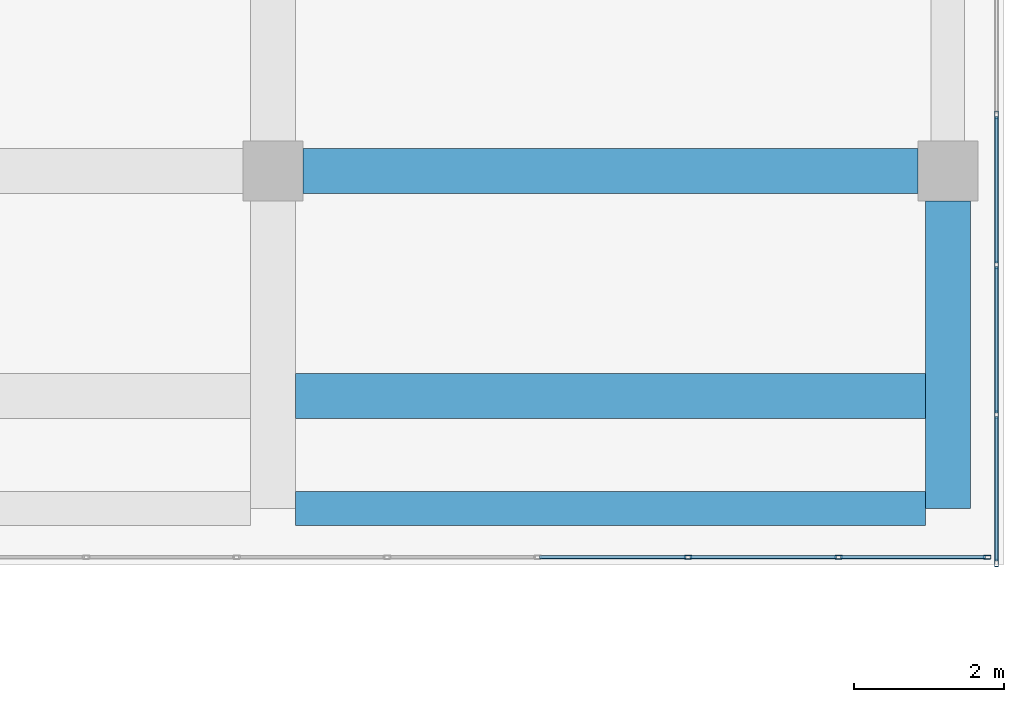
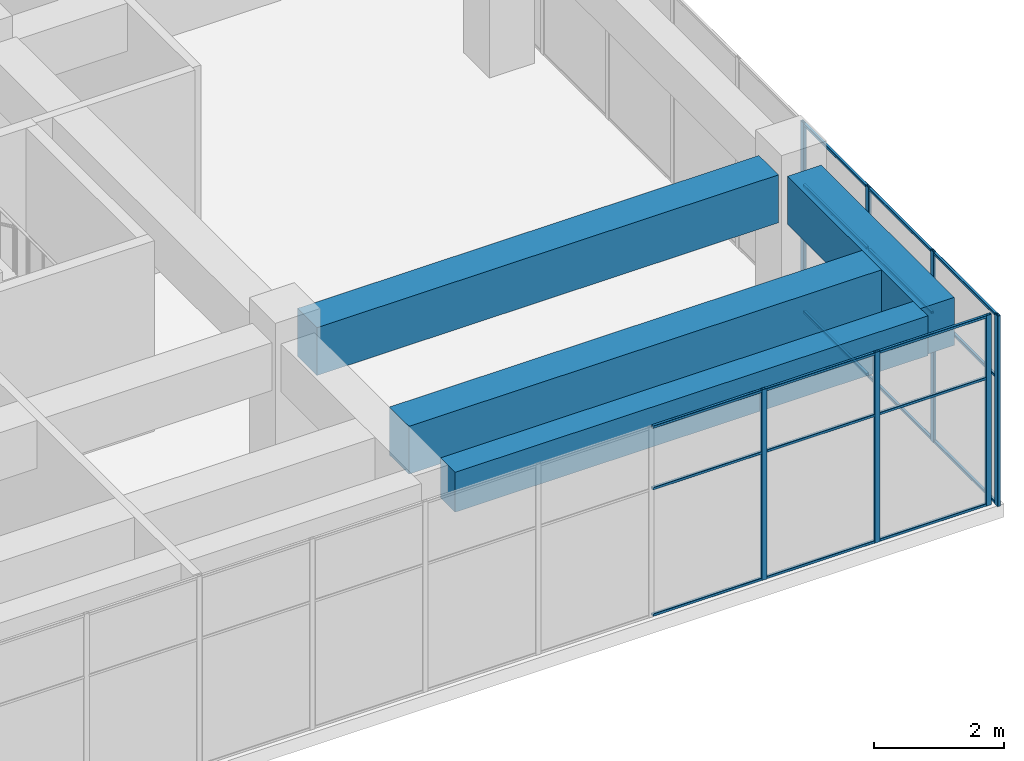
# One storey, part 45 of 72: 25 members, 4 beams, 2 elements without a shape of their own.
"""IFC4 building model written with IfcOpenShell, lengths in metres."""

from ifc_helpers import new_model, si_unit, direction, frame, origin, origin_2d, place, context, subcontext, project, spatial, rectangle, hollow_rectangle, extrude, material, layer, layer_set, material_profile, profile_set, type_object, element, aggregate, save


model = new_model("IFC4")

# Units and contexts
model_context = context("Model", 3, precision=1e-05, world=origin(), true_north=direction((0.0, 1.0)))
body_context = subcontext(model_context, "Body", "Model", "MODEL_VIEW")
ifc_project = project(units=[si_unit("LENGTHUNIT", "METRE"), si_unit("AREAUNIT", "SQUARE_METRE"), si_unit("VOLUMEUNIT", "CUBIC_METRE"), si_unit("PLANEANGLEUNIT", "RADIAN"), si_unit("MASSUNIT", "GRAM", prefix="KILO")], contexts=[model_context])

# Site, building, storey
site_placement = place(None, origin())
site = spatial("IfcSite", under=ifc_project, at=site_placement, CompositionType="ELEMENT")
building_placement = place(site_placement, origin())
building = spatial("IfcBuilding", under=site, at=building_placement, Name="Tuart Plaza Theatre", CompositionType="ELEMENT")
storey_placement = place(building_placement, frame((0.0, 0.0, 13.5)))
storey = spatial("IfcBuildingStorey", under=building, at=storey_placement, Name="L03", CompositionType="ELEMENT", Elevation=13.5)

# Beams
ifc_material_1 = material(Name="Concrete N40 (40 MPa)", Category="concrete")
ifc_material_profile_1 = material_profile(ifc_material_1, rectangle(XDim=0.449951171875, YDim=0.75, at=origin_2d()), Name="BEAM 450x750 Concrete N40 (40 MPa)")
ifc_profile_set_1 = profile_set([ifc_material_profile_1], Name="Concrete N40 (40 MPa)")
beam_type_1 = type_object("IfcBeamType", Name="BEAM 450x750 Concrete N40 (40 MPa)", PredefinedType="BEAM", material=ifc_profile_set_1)
beam_1_placement = place(storey_placement, frame((141.300048828125, 51.5, 3.205078125), z_axis=(1.0, 0.0, 0.0), x_axis=(0.0, 1.0, 0.0)))
element("IfcBeam", 1, at=beam_1_placement, inside=storey, type_object=beam_type_1, Name="RB189", PredefinedType="BEAM", context=body_context, shape_type="SweptSolid", body=[
    extrude(rectangle(XDim=0.449951171875, YDim=0.75, at=origin_2d()), origin(), (0.0, 0.0, 1.0), 8.39990234375),
])
ifc_material_2 = material(Name="Concrete N40 (40 MPa)", Category="concrete")
ifc_material_profile_2 = material_profile(ifc_material_2, rectangle(XDim=0.60009765625, YDim=0.89990234375, at=origin_2d()), Name="BEAM 600x900 Concrete N40 (40 MPa)")
ifc_profile_set_2 = profile_set([ifc_material_profile_2], Name="Concrete N40 (40 MPa)")
beam_type_2 = type_object("IfcBeamType", Name="BEAM 600x900 Concrete N40 (40 MPa)", PredefinedType="BEAM", material=ifc_profile_set_2)
beam_2_placement = place(storey_placement, frame((141.300048828125, 53.0, 3.1298828125), z_axis=(1.0, 0.0, 0.0), x_axis=(0.0, 1.0, 0.0)))
element("IfcBeam", 2, at=beam_2_placement, inside=storey, type_object=beam_type_2, Name="RB205", PredefinedType="BEAM", context=body_context, shape_type="SweptSolid", body=[
    extrude(rectangle(XDim=0.60009765625, YDim=0.89990234375, at=origin_2d()), origin(), (0.0, 0.0, 1.0), 8.39990234375),
])
beam_3_placement = place(storey_placement, frame((141.39990234375, 56.0, 3.1298828125), z_axis=(1.0, 0.0, 0.0), x_axis=(0.0, 1.0, 0.0)))
element("IfcBeam", 3, at=beam_3_placement, inside=storey, type_object=beam_type_2, Name="RB191", PredefinedType="BEAM", context=body_context, shape_type="SweptSolid", body=[
    extrude(rectangle(XDim=0.60009765625, YDim=0.89990234375, at=origin_2d()), origin(), (0.0, 0.0, 1.0), 8.2001953125),
])
beam_4_placement = place(storey_placement, frame((150.0, 51.5, 3.1298828125), z_axis=(0.0, 1.0, 0.0), x_axis=(-1.0, 0.0, 0.0)))
element("IfcBeam", 4, at=beam_4_placement, inside=storey, type_object=beam_type_2, Name="RB197", PredefinedType="BEAM", context=body_context, shape_type="SweptSolid", body=[
    extrude(rectangle(XDim=0.60009765625, YDim=0.89990234375, at=origin_2d()), origin(), (0.0, 0.0, 1.0), 4.10009765625),
])

# Curtain wall, members
ifc_material_3 = material(Name="Aluminium and glass", Category="aluminium")
ifc_layer = layer(ifc_material_3, 0.10009765625)
ifc_layer_set = layer_set([ifc_layer], Name="CURTAIN WALL 2000 module")
curtain_wall_type = type_object("IfcCurtainWallType", Name="CURTAIN WALL 2000 module", PredefinedType="NOTDEFINED", material=ifc_layer_set)
curtain_wall_1_placement = place(storey_placement, origin())
curtain_wall_1 = element("IfcCurtainWall", 5, at=curtain_wall_1_placement, inside=storey, type_object=curtain_wall_type, Name="CW68", PredefinedType="NOTDEFINED")
ifc_material_4 = material(Name="Aluminium 6063-T5", Category="aluminium")
ifc_material_profile_3 = material_profile(ifc_material_4, hollow_rectangle(XDim=0.050048828125, YDim=0.10009765625, WallThickness=0.00390625, InnerFilletRadius=0.00390625, OuterFilletRadius=0.008056640625, at=origin_2d()), Name="RHS 100x50x4")
ifc_profile_set_3 = profile_set([ifc_material_profile_3], Name="Aluminium 6063-T5")
member_type_1 = type_object("IfcMemberType", Name="MULLION RHS 100x50x4", PredefinedType="MULLION", material=ifc_profile_set_3)
member_1_placement = place(storey_placement, frame((146.53564453125, 50.85009765625, 0.0), z_axis=(0.0, 0.0, 1.0), x_axis=(0.0, 1.0, 0.0)))
member_1 = element("IfcMember", 6, at=member_1_placement, type_object=member_type_1, Name="CW68 mullion 13", PredefinedType="MULLION", context=body_context, shape_type="SweptSolid", body=[
    extrude(hollow_rectangle(XDim=0.050048828125, YDim=0.10009765625, WallThickness=0.00390625, InnerFilletRadius=0.00390625, OuterFilletRadius=0.008056640625, at=origin_2d()), origin(), (0.0, 0.0, 1.0), 3.580078125),
])
member_2_placement = place(storey_placement, frame((148.54296875, 50.85009765625, 0.0), z_axis=(0.0, 0.0, 1.0), x_axis=(0.0, 1.0, 0.0)))
member_2 = element("IfcMember", 7, at=member_2_placement, type_object=member_type_1, Name="CW68 mullion 14", PredefinedType="MULLION", context=body_context, shape_type="SweptSolid", body=[
    extrude(hollow_rectangle(XDim=0.050048828125, YDim=0.10009765625, WallThickness=0.00390625, InnerFilletRadius=0.00390625, OuterFilletRadius=0.008056640625, at=origin_2d()), origin(), (0.0, 0.0, 1.0), 3.580078125),
])
member_3_placement = place(storey_placement, frame((150.52490234375, 50.85009765625, 0.0), z_axis=(0.0, 0.0, 1.0), x_axis=(0.0, 1.0, 0.0)))
member_3 = element("IfcMember", 8, at=member_3_placement, type_object=member_type_1, Name="CW68 mullion 15", PredefinedType="MULLION", context=body_context, shape_type="SweptSolid", body=[
    extrude(hollow_rectangle(XDim=0.050048828125, YDim=0.10009765625, WallThickness=0.00390625, InnerFilletRadius=0.00390625, OuterFilletRadius=0.008056640625, at=origin_2d()), origin(), (0.0, 0.0, 1.0), 3.580078125),
])

curtain_wall_2_placement = place(storey_placement, origin())
curtain_wall_2 = element("IfcCurtainWall", 9, at=curtain_wall_2_placement, inside=storey, type_object=curtain_wall_type, Name="CW69", PredefinedType="NOTDEFINED")
member_4_placement = place(storey_placement, frame((150.64990234375, 50.77490234375, 0.0), z_axis=(0.0, 0.0, 1.0), x_axis=(-1.0, 0.0, 0.0)))
member_4 = element("IfcMember", 10, at=member_4_placement, type_object=member_type_1, Name="CW69 mullion 1", PredefinedType="MULLION", context=body_context, shape_type="SweptSolid", body=[
    extrude(hollow_rectangle(XDim=0.050048828125, YDim=0.10009765625, WallThickness=0.00390625, InnerFilletRadius=0.00390625, OuterFilletRadius=0.008056640625, at=origin_2d()), origin(), (0.0, 0.0, 1.0), 3.580078125),
])
member_5_placement = place(storey_placement, frame((150.64990234375, 52.75, 0.0), z_axis=(0.0, 0.0, 1.0), x_axis=(-1.0, 0.0, 0.0)))
member_5 = element("IfcMember", 11, at=member_5_placement, type_object=member_type_1, Name="CW69 mullion 2", PredefinedType="MULLION", context=body_context, shape_type="SweptSolid", body=[
    extrude(hollow_rectangle(XDim=0.050048828125, YDim=0.10009765625, WallThickness=0.00390625, InnerFilletRadius=0.00390625, OuterFilletRadius=0.008056640625, at=origin_2d()), origin(), (0.0, 0.0, 1.0), 3.580078125),
])
member_6_placement = place(storey_placement, frame((150.64990234375, 54.75, 0.0), z_axis=(0.0, 0.0, 1.0), x_axis=(-1.0, 0.0, 0.0)))
member_6 = element("IfcMember", 12, at=member_6_placement, type_object=member_type_1, Name="CW69 mullion 3", PredefinedType="MULLION", context=body_context, shape_type="SweptSolid", body=[
    extrude(hollow_rectangle(XDim=0.050048828125, YDim=0.10009765625, WallThickness=0.00390625, InnerFilletRadius=0.00390625, OuterFilletRadius=0.008056640625, at=origin_2d()), origin(), (0.0, 0.0, 1.0), 3.580078125),
])
member_7_placement = place(storey_placement, frame((150.64990234375, 56.75, 0.0), z_axis=(0.0, 0.0, 1.0), x_axis=(-1.0, 0.0, 0.0)))
member_7 = element("IfcMember", 13, at=member_7_placement, type_object=member_type_1, Name="CW69 mullion 4", PredefinedType="MULLION", context=body_context, shape_type="SweptSolid", body=[
    extrude(hollow_rectangle(XDim=0.050048828125, YDim=0.10009765625, WallThickness=0.00390625, InnerFilletRadius=0.00390625, OuterFilletRadius=0.008056640625, at=origin_2d()), origin(), (0.0, 0.0, 1.0), 3.580078125),
])

# Member
ifc_material_5 = material(Name="Aluminium 6063-T5", Category="aluminium")
ifc_material_profile_4 = material_profile(ifc_material_5, hollow_rectangle(XDim=0.050048828125, YDim=0.050048828125, WallThickness=0.00390625, InnerFilletRadius=0.00390625, OuterFilletRadius=0.008056640625, at=origin_2d()), Name="RHS 50x50x4")
ifc_profile_set_4 = profile_set([ifc_material_profile_4], Name="Aluminium 6063-T5")
member_type_2 = type_object("IfcMemberType", Name="TRANSOM RHS 50x50x4", PredefinedType="USERDEFINED", material=ifc_profile_set_4)
member_8_placement = place(storey_placement, frame((144.553466796875, 50.85009765625, 0.02490234375), z_axis=(1.0, 0.0, 0.0), x_axis=(0.0, 1.0, 0.0)))
member_8 = element("IfcMember", 14, at=member_8_placement, type_object=member_type_2, Name="CW68 transom 12.1", ObjectType="TRANSOM", PredefinedType="USERDEFINED", context=body_context, shape_type="SweptSolid", body=[
    extrude(hollow_rectangle(XDim=0.050048828125, YDim=0.050048828125, WallThickness=0.00390625, InnerFilletRadius=0.00390625, OuterFilletRadius=0.008056640625, at=origin_2d()), origin(), (0.0, 0.0, 1.0), 1.957275390625),
])

member_9_placement = place(storey_placement, frame((144.553466796875, 50.85009765625, 2.39990234375), z_axis=(1.0, 0.0, 0.0), x_axis=(0.0, 1.0, 0.0)))
member_9 = element("IfcMember", 15, at=member_9_placement, type_object=member_type_2, Name="CW68 transom 12.2", ObjectType="TRANSOM", PredefinedType="USERDEFINED", context=body_context, shape_type="SweptSolid", body=[
    extrude(hollow_rectangle(XDim=0.050048828125, YDim=0.050048828125, WallThickness=0.00390625, InnerFilletRadius=0.00390625, OuterFilletRadius=0.008056640625, at=origin_2d()), origin(), (0.0, 0.0, 1.0), 1.957275390625),
])

member_10_placement = place(storey_placement, frame((144.553466796875, 50.85009765625, 3.554931640625), z_axis=(1.0, 0.0, 0.0), x_axis=(0.0, 1.0, 0.0)))
member_10 = element("IfcMember", 16, at=member_10_placement, type_object=member_type_2, Name="CW68 transom 12.3", ObjectType="TRANSOM", PredefinedType="USERDEFINED", context=body_context, shape_type="SweptSolid", body=[
    extrude(hollow_rectangle(XDim=0.050048828125, YDim=0.050048828125, WallThickness=0.00390625, InnerFilletRadius=0.00390625, OuterFilletRadius=0.008056640625, at=origin_2d()), origin(), (0.0, 0.0, 1.0), 1.957275390625),
])

member_11_placement = place(storey_placement, frame((146.560791015625, 50.85009765625, 0.02490234375), z_axis=(1.0, 0.0, 0.0), x_axis=(0.0, 1.0, 0.0)))
member_11 = element("IfcMember", 17, at=member_11_placement, type_object=member_type_2, Name="CW68 transom 13.1", ObjectType="TRANSOM", PredefinedType="USERDEFINED", context=body_context, shape_type="SweptSolid", body=[
    extrude(hollow_rectangle(XDim=0.050048828125, YDim=0.050048828125, WallThickness=0.00390625, InnerFilletRadius=0.00390625, OuterFilletRadius=0.008056640625, at=origin_2d()), origin(), (0.0, 0.0, 1.0), 1.95703125),
])

member_12_placement = place(storey_placement, frame((146.560791015625, 50.85009765625, 2.39990234375), z_axis=(1.0, 0.0, 0.0), x_axis=(0.0, 1.0, 0.0)))
member_12 = element("IfcMember", 18, at=member_12_placement, type_object=member_type_2, Name="CW68 transom 13.2", ObjectType="TRANSOM", PredefinedType="USERDEFINED", context=body_context, shape_type="SweptSolid", body=[
    extrude(hollow_rectangle(XDim=0.050048828125, YDim=0.050048828125, WallThickness=0.00390625, InnerFilletRadius=0.00390625, OuterFilletRadius=0.008056640625, at=origin_2d()), origin(), (0.0, 0.0, 1.0), 1.95703125),
])

member_13_placement = place(storey_placement, frame((146.560791015625, 50.85009765625, 3.554931640625), z_axis=(1.0, 0.0, 0.0), x_axis=(0.0, 1.0, 0.0)))
member_13 = element("IfcMember", 19, at=member_13_placement, type_object=member_type_2, Name="CW68 transom 13.3", ObjectType="TRANSOM", PredefinedType="USERDEFINED", context=body_context, shape_type="SweptSolid", body=[
    extrude(hollow_rectangle(XDim=0.050048828125, YDim=0.050048828125, WallThickness=0.00390625, InnerFilletRadius=0.00390625, OuterFilletRadius=0.008056640625, at=origin_2d()), origin(), (0.0, 0.0, 1.0), 1.95703125),
])

member_14_placement = place(storey_placement, frame((148.56787109375, 50.85009765625, 0.02490234375), z_axis=(1.0, 0.0, 0.0), x_axis=(0.0, 1.0, 0.0)))
member_14 = element("IfcMember", 20, at=member_14_placement, type_object=member_type_2, Name="CW68 transom 14.1", ObjectType="TRANSOM", PredefinedType="USERDEFINED", context=body_context, shape_type="SweptSolid", body=[
    extrude(hollow_rectangle(XDim=0.050048828125, YDim=0.050048828125, WallThickness=0.00390625, InnerFilletRadius=0.00390625, OuterFilletRadius=0.008056640625, at=origin_2d()), origin(), (0.0, 0.0, 1.0), 1.93212890625),
])

member_15_placement = place(storey_placement, frame((148.56787109375, 50.85009765625, 2.39990234375), z_axis=(1.0, 0.0, 0.0), x_axis=(0.0, 1.0, 0.0)))
member_15 = element("IfcMember", 21, at=member_15_placement, type_object=member_type_2, Name="CW68 transom 14.2", ObjectType="TRANSOM", PredefinedType="USERDEFINED", context=body_context, shape_type="SweptSolid", body=[
    extrude(hollow_rectangle(XDim=0.050048828125, YDim=0.050048828125, WallThickness=0.00390625, InnerFilletRadius=0.00390625, OuterFilletRadius=0.008056640625, at=origin_2d()), origin(), (0.0, 0.0, 1.0), 1.93212890625),
])

member_16_placement = place(storey_placement, frame((148.56787109375, 50.85009765625, 3.554931640625), z_axis=(1.0, 0.0, 0.0), x_axis=(0.0, 1.0, 0.0)))
member_16 = element("IfcMember", 22, at=member_16_placement, type_object=member_type_2, Name="CW68 transom 14.3", ObjectType="TRANSOM", PredefinedType="USERDEFINED", context=body_context, shape_type="SweptSolid", body=[
    extrude(hollow_rectangle(XDim=0.050048828125, YDim=0.050048828125, WallThickness=0.00390625, InnerFilletRadius=0.00390625, OuterFilletRadius=0.008056640625, at=origin_2d()), origin(), (0.0, 0.0, 1.0), 1.93212890625),
])

aggregate(curtain_wall_1, [member_1, member_2, member_3, member_8, member_9, member_10, member_11, member_12, member_13, member_14, member_15, member_16])

member_17_placement = place(storey_placement, frame((150.64990234375, 50.800048828125, 0.02490234375), z_axis=(0.0, 1.0, 0.0), x_axis=(-1.0, 0.0, 0.0)))
member_17 = element("IfcMember", 23, at=member_17_placement, type_object=member_type_2, Name="CW69 transom 1.1", ObjectType="TRANSOM", PredefinedType="USERDEFINED", context=body_context, shape_type="SweptSolid", body=[
    extrude(hollow_rectangle(XDim=0.050048828125, YDim=0.050048828125, WallThickness=0.00390625, InnerFilletRadius=0.00390625, OuterFilletRadius=0.008056640625, at=origin_2d()), origin(), (0.0, 0.0, 1.0), 1.925048828125),
])

member_18_placement = place(storey_placement, frame((150.64990234375, 50.800048828125, 2.39990234375), z_axis=(0.0, 1.0, 0.0), x_axis=(-1.0, 0.0, 0.0)))
member_18 = element("IfcMember", 24, at=member_18_placement, type_object=member_type_2, Name="CW69 transom 1.2", ObjectType="TRANSOM", PredefinedType="USERDEFINED", context=body_context, shape_type="SweptSolid", body=[
    extrude(hollow_rectangle(XDim=0.050048828125, YDim=0.050048828125, WallThickness=0.00390625, InnerFilletRadius=0.00390625, OuterFilletRadius=0.008056640625, at=origin_2d()), origin(), (0.0, 0.0, 1.0), 1.925048828125),
])

member_19_placement = place(storey_placement, frame((150.64990234375, 50.800048828125, 3.554931640625), z_axis=(0.0, 1.0, 0.0), x_axis=(-1.0, 0.0, 0.0)))
member_19 = element("IfcMember", 25, at=member_19_placement, type_object=member_type_2, Name="CW69 transom 1.3", ObjectType="TRANSOM", PredefinedType="USERDEFINED", context=body_context, shape_type="SweptSolid", body=[
    extrude(hollow_rectangle(XDim=0.050048828125, YDim=0.050048828125, WallThickness=0.00390625, InnerFilletRadius=0.00390625, OuterFilletRadius=0.008056640625, at=origin_2d()), origin(), (0.0, 0.0, 1.0), 1.925048828125),
])

member_20_placement = place(storey_placement, frame((150.64990234375, 52.77490234375, 0.02490234375), z_axis=(0.0, 1.0, 0.0), x_axis=(-1.0, 0.0, 0.0)))
member_20 = element("IfcMember", 26, at=member_20_placement, type_object=member_type_2, Name="CW69 transom 2.1", ObjectType="TRANSOM", PredefinedType="USERDEFINED", context=body_context, shape_type="SweptSolid", body=[
    extrude(hollow_rectangle(XDim=0.050048828125, YDim=0.050048828125, WallThickness=0.00390625, InnerFilletRadius=0.00390625, OuterFilletRadius=0.008056640625, at=origin_2d()), origin(), (0.0, 0.0, 1.0), 1.9501953125),
])

member_21_placement = place(storey_placement, frame((150.64990234375, 52.77490234375, 2.39990234375), z_axis=(0.0, 1.0, 0.0), x_axis=(-1.0, 0.0, 0.0)))
member_21 = element("IfcMember", 27, at=member_21_placement, type_object=member_type_2, Name="CW69 transom 2.2", ObjectType="TRANSOM", PredefinedType="USERDEFINED", context=body_context, shape_type="SweptSolid", body=[
    extrude(hollow_rectangle(XDim=0.050048828125, YDim=0.050048828125, WallThickness=0.00390625, InnerFilletRadius=0.00390625, OuterFilletRadius=0.008056640625, at=origin_2d()), origin(), (0.0, 0.0, 1.0), 1.9501953125),
])

member_22_placement = place(storey_placement, frame((150.64990234375, 52.77490234375, 3.554931640625), z_axis=(0.0, 1.0, 0.0), x_axis=(-1.0, 0.0, 0.0)))
member_22 = element("IfcMember", 28, at=member_22_placement, type_object=member_type_2, Name="CW69 transom 2.3", ObjectType="TRANSOM", PredefinedType="USERDEFINED", context=body_context, shape_type="SweptSolid", body=[
    extrude(hollow_rectangle(XDim=0.050048828125, YDim=0.050048828125, WallThickness=0.00390625, InnerFilletRadius=0.00390625, OuterFilletRadius=0.008056640625, at=origin_2d()), origin(), (0.0, 0.0, 1.0), 1.9501953125),
])

member_23_placement = place(storey_placement, frame((150.64990234375, 54.77490234375, 0.02490234375), z_axis=(0.0, 1.0, 0.0), x_axis=(-1.0, 0.0, 0.0)))
member_23 = element("IfcMember", 29, at=member_23_placement, type_object=member_type_2, Name="CW69 transom 3.1", ObjectType="TRANSOM", PredefinedType="USERDEFINED", context=body_context, shape_type="SweptSolid", body=[
    extrude(hollow_rectangle(XDim=0.050048828125, YDim=0.050048828125, WallThickness=0.00390625, InnerFilletRadius=0.00390625, OuterFilletRadius=0.008056640625, at=origin_2d()), origin(), (0.0, 0.0, 1.0), 1.9501953125),
])

member_24_placement = place(storey_placement, frame((150.64990234375, 54.77490234375, 2.39990234375), z_axis=(0.0, 1.0, 0.0), x_axis=(-1.0, 0.0, 0.0)))
member_24 = element("IfcMember", 30, at=member_24_placement, type_object=member_type_2, Name="CW69 transom 3.2", ObjectType="TRANSOM", PredefinedType="USERDEFINED", context=body_context, shape_type="SweptSolid", body=[
    extrude(hollow_rectangle(XDim=0.050048828125, YDim=0.050048828125, WallThickness=0.00390625, InnerFilletRadius=0.00390625, OuterFilletRadius=0.008056640625, at=origin_2d()), origin(), (0.0, 0.0, 1.0), 1.9501953125),
])

member_25_placement = place(storey_placement, frame((150.64990234375, 54.77490234375, 3.554931640625), z_axis=(0.0, 1.0, 0.0), x_axis=(-1.0, 0.0, 0.0)))
member_25 = element("IfcMember", 31, at=member_25_placement, type_object=member_type_2, Name="CW69 transom 3.3", ObjectType="TRANSOM", PredefinedType="USERDEFINED", context=body_context, shape_type="SweptSolid", body=[
    extrude(hollow_rectangle(XDim=0.050048828125, YDim=0.050048828125, WallThickness=0.00390625, InnerFilletRadius=0.00390625, OuterFilletRadius=0.008056640625, at=origin_2d()), origin(), (0.0, 0.0, 1.0), 1.9501953125),
])

aggregate(curtain_wall_2, [member_4, member_5, member_6, member_7, member_17, member_18, member_19, member_20, member_21, member_22, member_23, member_24, member_25])

save(model, "model.ifc")
